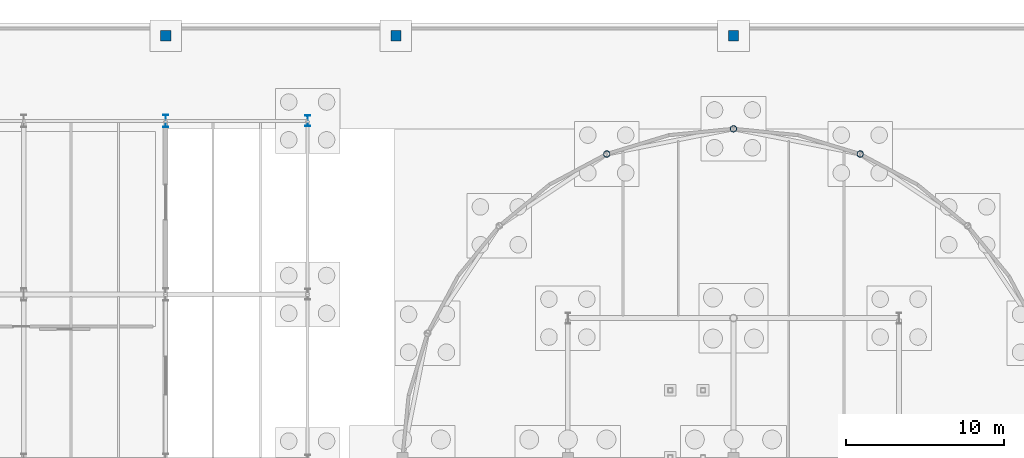
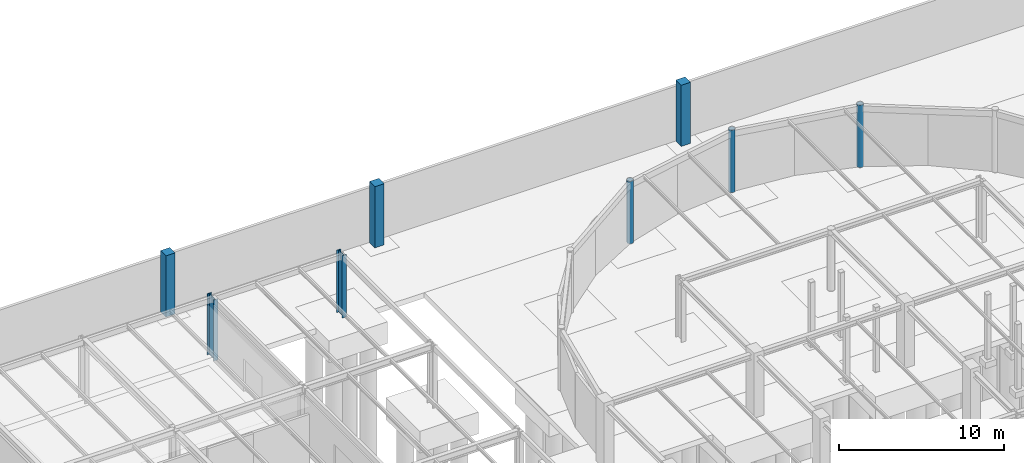
# One storey, part 38 of 160: 8 columns.
"""IFC4 building model written with IfcOpenShell, lengths in metres."""

import ifcopenshell
import ifcopenshell.guid

model = None  # the IFC model being written
_history = None  # IfcOwnerHistory: only IFC2X3 demands one
_inside = {}  # id of a spatial element -> (the spatial element, [elements in it])
_under = {}  # id of a project, library or spatial element -> (it, [spatial elements below it])
_declared = {}  # id of a project -> (the project, [libraries it declares])
_typed = {}  # id of a type object -> (the type object, [elements of that type])
_made_of = {}  # id of a material, layer set ... -> (it, [elements and type objects made of it])


def new_model(schema):
    """Start an empty IFC model of exactly this schema.

    Asked for "IFC4X3", IfcOpenShell would pick the latest addendum, in which some entities
    have other attributes; the version numbers below select the first issue.
    IFC2X3 requires an IfcOwnerHistory on every rooted entity: one is made here for all.
    """
    global model, _history
    if schema == "IFC4X3":
        model = ifcopenshell.file(schema_version=(4, 3, 0, 0))
    else:
        model = ifcopenshell.file(schema=schema)
    _inside.clear()
    _under.clear()
    _declared.clear()
    _typed.clear()
    _made_of.clear()
    _history = None
    if model.schema == "IFC2X3":
        org = make("IfcOrganization", Name="unknown")
        user = make(
            "IfcPersonAndOrganization",
            ThePerson=make("IfcPerson", FamilyName="unknown"),
            TheOrganization=org,
        )
        app = make(
            "IfcApplication",
            ApplicationDeveloper=org,
            Version="unknown",
            ApplicationFullName="unknown",
            ApplicationIdentifier="unknown",
        )
        _history = make(
            "IfcOwnerHistory",
            OwningUser=user,
            OwningApplication=app,
            ChangeAction="ADDED",
            CreationDate=0,
        )
    return model


def make(cls, **values):
    """One entity of the class cls with the attributes given. An attribute that is None is left unset."""
    return model.create_entity(
        cls, **{name: value for name, value in values.items() if value is not None}
    )


def rooted(cls, **values):
    """An entity with a GlobalId (a new one), such as an element, a storey or a relation."""
    return make(cls, GlobalId=ifcopenshell.guid.new(), OwnerHistory=_history, **values)


def si_unit(unit_type, name, prefix=None):
    """IfcSIUnit, for example si_unit("LENGTHUNIT", "METRE", prefix="MILLI")."""
    return make("IfcSIUnit", UnitType=unit_type, Prefix=prefix, Name=name)


def assignment(units):
    """IfcUnitAssignment: the units of a project."""
    return None if units is None else make("IfcUnitAssignment", Units=units)


def point(xyz):
    """IfcCartesianPoint."""
    return None if xyz is None else make("IfcCartesianPoint", Coordinates=xyz)


def direction(xyz):
    """IfcDirection."""
    return None if xyz is None else make("IfcDirection", DirectionRatios=xyz)


def frame(location, z_axis=None, x_axis=None):
    """IfcAxis2Placement3D, a coordinate frame: its origin and axes. An axis left out is left unset."""
    return make(
        "IfcAxis2Placement3D",
        Location=point(location),
        Axis=direction(z_axis),
        RefDirection=direction(x_axis),
    )


def frame_2d(location, x_axis=None):
    """IfcAxis2Placement2D, a coordinate frame in the plane: its origin and x axis."""
    return make(
        "IfcAxis2Placement2D", Location=point(location), RefDirection=direction(x_axis)
    )


def origin():
    """The frame at (0, 0, 0) with its axes left unset."""
    return frame((0.0, 0.0, 0.0))


def origin_2d():
    """The frame at (0, 0) in the plane with its x axis left unset."""
    return frame_2d((0.0, 0.0))


def place(relative_to, where):
    """IfcLocalPlacement: puts the frame where relative to a parent placement (None: the world)."""
    return make(
        "IfcLocalPlacement", PlacementRelTo=relative_to, RelativePlacement=where
    )


def context(
    kind, dimensions, precision=None, world=None, true_north=None, identifier=None
):
    """IfcGeometricRepresentationContext, for example the 3D "Model" context."""
    return make(
        "IfcGeometricRepresentationContext",
        ContextIdentifier=identifier,
        ContextType=kind,
        CoordinateSpaceDimension=dimensions,
        Precision=precision,
        WorldCoordinateSystem=world,
        TrueNorth=true_north,
    )


def subcontext(parent, identifier, kind, view, scale=None):
    """IfcGeometricRepresentationSubContext, for example "Body" below "Model"."""
    return make(
        "IfcGeometricRepresentationSubContext",
        ContextIdentifier=identifier,
        ContextType=kind,
        ParentContext=parent,
        TargetScale=scale,
        TargetView=view,
    )


def project(units=None, contexts=None):
    """IfcProject with its units and contexts."""
    return rooted(
        "IfcProject",
        Name="project",
        RepresentationContexts=contexts,
        UnitsInContext=assignment(units),
    )


def spatial(cls, under=None, at=None, **own):
    """A site, building, storey or space (cls), placed at a placement, below another one or the project."""
    s = rooted(cls, ObjectPlacement=at, **own)
    if under is not None:
        _under.setdefault(under.id(), (under, []))[1].append(s)
    return s


def profile(cls, at=None, kind="AREA", **sizes):
    """A parametric profile (cls). Its sizes go by their IFC names, for example OverallWidth=200.0."""
    return make(cls, ProfileType=kind, Position=at, **sizes)


def rectangle(**sizes):
    """IfcRectangleProfileDef."""
    return profile("IfcRectangleProfileDef", **sizes)


def hollow_circle(**sizes):
    """IfcCircleHollowProfileDef."""
    return profile("IfcCircleHollowProfileDef", **sizes)


def i_section(**sizes):
    """IfcIShapeProfileDef."""
    return profile("IfcIShapeProfileDef", **sizes)


def extrude(swept, where, along, depth):
    """IfcExtrudedAreaSolid: the profile swept, set in the frame where, extruded along a direction by depth."""
    return make(
        "IfcExtrudedAreaSolid",
        SweptArea=swept,
        Position=where,
        ExtrudedDirection=direction(along),
        Depth=depth,
    )


def shape(context_of_items, identifier, shape_type, items):
    """IfcShapeRepresentation: the items that make up one representation, for example the "Body"."""
    return make(
        "IfcShapeRepresentation",
        ContextOfItems=context_of_items,
        RepresentationIdentifier=identifier,
        RepresentationType=shape_type,
        Items=items,
    )


def material(Name=None, Category=None):
    """IfcMaterial."""
    return make("IfcMaterial", Name=Name, Category=Category)


def material_profile(
    of_material, cross_section, Name=None, Category=None, Priority=None
):
    """IfcMaterialProfile: a cross section and its material."""
    return make(
        "IfcMaterialProfile",
        Name=Name,
        Material=of_material,
        Profile=cross_section,
        Priority=Priority,
        Category=Category,
    )


def profile_set(profiles, Name=None, composite=None):
    """IfcMaterialProfileSet."""
    return make(
        "IfcMaterialProfileSet",
        Name=Name,
        MaterialProfiles=profiles,
        CompositeProfile=composite,
    )


def made_of(thing, what):
    """Note that an element or type object is made of a material, layer set ...; save() writes the relation."""
    if what is not None:
        _made_of.setdefault(what.id(), (what, []))[1].append(thing)
    return thing


def type_object(cls, material=None, **own):
    """A type object (cls), such as IfcWallType, which elements share."""
    return made_of(rooted(cls, **own), material)


def element(
    cls,
    number,
    at=None,
    inside=None,
    cuts=None,
    type_object=None,
    material=None,
    context=None,
    identifier="Body",
    shape_type=None,
    held_by="IfcProductDefinitionShape",
    body=None,
    shapes=None,
    **own,
):
    """One element of the class cls, such as IfcWall. Its Tag is "e" and its number.

    at: its placement. inside: the storey or other place that contains it. cuts: it is an
    opening in that element (IfcRelVoidsElement). A single representation is given by context,
    identifier, shape_type and body (its items); several are given by shapes. held_by: the class
    of the entity that holds the representations. save() writes the other relations.
    """
    e = rooted(cls, Tag="e%d" % number, ObjectPlacement=at, **own)
    if body is not None:
        shapes = [shape(context, identifier, shape_type, body)]
    if shapes is not None:
        e.Representation = make(held_by, Representations=shapes)
    if inside is not None:
        _inside.setdefault(inside.id(), (inside, []))[1].append(e)
    if cuts is not None:
        rooted(
            "IfcRelVoidsElement", RelatingBuildingElement=cuts, RelatedOpeningElement=e
        )
    if type_object is not None:
        _typed.setdefault(type_object.id(), (type_object, []))[1].append(e)
    return made_of(e, material)


def aggregate(whole, parts):
    """IfcRelAggregates: a whole, such as a stair, and the parts it consists of."""
    return rooted("IfcRelAggregates", RelatingObject=whole, RelatedObjects=parts)


def save(model, path):
    """Write the relations noted so far, then the file.

    IfcRelAggregates (storeys below a building ...), IfcRelContainedInSpatialStructure (elements
    in a storey), IfcRelDefinesByType, IfcRelAssociatesMaterial and IfcRelDeclares: one each for
    every whole, place, type object, material and project.
    """
    for whole, parts in _under.values():
        aggregate(whole, parts)
    for where, things in _inside.values():
        rooted(
            "IfcRelContainedInSpatialStructure",
            RelatedElements=things,
            RelatingStructure=where,
        )
    for kind, things in _typed.values():
        rooted("IfcRelDefinesByType", RelatedObjects=things, RelatingType=kind)
    for what, things in _made_of.values():
        rooted("IfcRelAssociatesMaterial", RelatedObjects=things, RelatingMaterial=what)
    for by, libraries in _declared.values():
        rooted("IfcRelDeclares", RelatingContext=by, RelatedDefinitions=libraries)
    model.write(path)


model = new_model("IFC4")

# Units and contexts
model_context = context("Model", 3, precision=1e-05, world=origin(), true_north=direction((0.0, 1.0)))
body_context = subcontext(model_context, "Body", "Model", "MODEL_VIEW")
ifc_project = project(units=[si_unit("LENGTHUNIT", "METRE"), si_unit("AREAUNIT", "SQUARE_METRE"), si_unit("VOLUMEUNIT", "CUBIC_METRE"), si_unit("PLANEANGLEUNIT", "RADIAN"), si_unit("MASSUNIT", "GRAM", prefix="KILO")], contexts=[model_context])

# Site, building, storey
site_placement = place(None, origin())
site = spatial("IfcSite", under=ifc_project, at=site_placement, CompositionType="ELEMENT")
building_placement = place(site_placement, origin())
building = spatial("IfcBuilding", under=site, at=building_placement, Name="Marlcrest Central Station", CompositionType="ELEMENT")
storey_placement = place(building_placement, origin())
storey = spatial("IfcBuildingStorey", under=building, at=storey_placement, Name="L00", CompositionType="ELEMENT", Elevation=0.0)

# Columns
ifc_material_1 = material(Name="Concrete C50/60", Category="concrete")
ifc_material_profile_1 = material_profile(ifc_material_1, rectangle(XDim=0.64990234375, YDim=0.64990234375, at=origin_2d()), Name="RC 650x650")
ifc_profile_set_1 = profile_set([ifc_material_profile_1], Name="Concrete C50/60")
column_type_1 = type_object("IfcColumnType", Name="RC-05", PredefinedType="COLUMN", material=ifc_profile_set_1)
for number, where, z_axis, x_axis, name in (
    (1, (72.0, 137.39990234375, 0.0), (0.0, 0.0, 1.0), (1.0, 0.0, 0.0), "col-RC-05-L00-0390"),
    (2, (86.60009765625, 137.39990234375, 0.0), (0.0, 0.0, 1.0), (1.0, 0.0, 0.0), "col-RC-05-L00-0391"),
    (3, (108.0, 137.39990234375, 0.0), (0.0, 0.0, 1.0), (1.0, 0.0, 0.0), "col-RC-05-L00-0392"),
):
    element("IfcColumn", number, at=place(storey_placement, frame(where, z_axis=z_axis, x_axis=x_axis)), inside=storey, type_object=column_type_1, Name=name, PredefinedType="COLUMN", context=body_context, shape_type="SweptSolid", body=[
        extrude(rectangle(XDim=0.64990234375, YDim=0.64990234375, at=origin_2d()), origin(), (0.0, 0.0, 1.0), 4.52490234375),
    ])
ifc_material_2 = material(Name="Steel S355", Category="steel")
ifc_material_profile_2 = material_profile(ifc_material_2, i_section(OverallWidth=0.300048828125, OverallDepth=0.699951171875, WebThickness=0.01708984375, FlangeThickness=0.031982421875, FilletRadius=0.027099609375, at=origin_2d()), Name="HEB 700")
ifc_profile_set_2 = profile_set([ifc_material_profile_2], Name="Steel S355")
column_type_2 = type_object("IfcColumnType", Name="SC-07", PredefinedType="COLUMN", material=ifc_profile_set_2)
column_1_placement = place(storey_placement, frame((81.0, 132.0, 0.0), z_axis=(0.0, 0.0, 1.0), x_axis=(1.0, 0.0, 0.0)))
element("IfcColumn", 4, at=column_1_placement, inside=storey, type_object=column_type_2, Name="col-SC-07-L00-0076", PredefinedType="COLUMN", context=body_context, shape_type="SweptSolid", body=[
    extrude(i_section(OverallWidth=0.300048828125, OverallDepth=0.699951171875, WebThickness=0.01708984375, FlangeThickness=0.031982421875, FilletRadius=0.027099609375, at=origin_2d()), origin(), (0.0, 0.0, 1.0), 4.60498046875),
])
ifc_material_profile_3 = material_profile(ifc_material_2, i_section(OverallWidth=0.300048828125, OverallDepth=0.800048828125, WebThickness=0.017578125, FlangeThickness=0.032958984375, FilletRadius=0.030029296875, at=origin_2d()), Name="HEB 800")
ifc_profile_set_3 = profile_set([ifc_material_profile_3], Name="Steel S355")
column_type_3 = type_object("IfcColumnType", Name="SC-08", PredefinedType="COLUMN", material=ifc_profile_set_3)
column_2_placement = place(storey_placement, frame((72.0, 132.0, 0.0), z_axis=(0.0, 0.0, 1.0), x_axis=(1.0, 0.0, 0.0)))
element("IfcColumn", 5, at=column_2_placement, inside=storey, type_object=column_type_3, Name="col-SC-08-L00-0072", PredefinedType="COLUMN", context=body_context, shape_type="SweptSolid", body=[
    extrude(i_section(OverallWidth=0.300048828125, OverallDepth=0.800048828125, WebThickness=0.017578125, FlangeThickness=0.032958984375, FilletRadius=0.030029296875, at=origin_2d()), origin(), (0.0, 0.0, 1.0), 4.52001953125),
])
ifc_material_profile_4 = material_profile(ifc_material_2, hollow_circle(Radius=0.203125, WallThickness=0.02001953125, at=origin_2d()), Name="CHS 406.4x20")
ifc_profile_set_4 = profile_set([ifc_material_profile_4], Name="Steel S355")
column_type_4 = type_object("IfcColumnType", Name="SC-10", PredefinedType="COLUMN", material=ifc_profile_set_4)
for number, where, z_axis, x_axis, name in (
    (6, (99.964111328125, 129.90087890625, 0.0), (0.0, 0.0, 1.0), (1.0, 0.0, 0.0), "col-SC-10-L00-0851"),
    (7, (108.0, 131.5, 0.0), (0.0, 0.0, 1.0), (1.0, 0.0, 0.0), "col-SC-10-L00-0855"),
    (8, (116.035888671875, 129.90087890625, 0.0), (0.0, 0.0, 1.0), (1.0, 0.0, 0.0), "col-SC-10-L00-0859"),
):
    element("IfcColumn", number, at=place(storey_placement, frame(where, z_axis=z_axis, x_axis=x_axis)), inside=storey, type_object=column_type_4, Name=name, PredefinedType="COLUMN", context=body_context, shape_type="SweptSolid", body=[
        extrude(hollow_circle(Radius=0.203125, WallThickness=0.02001953125, at=origin_2d()), origin(), (0.0, 0.0, 1.0), 4.610107421875),
    ])

save(model, "model.ifc")
